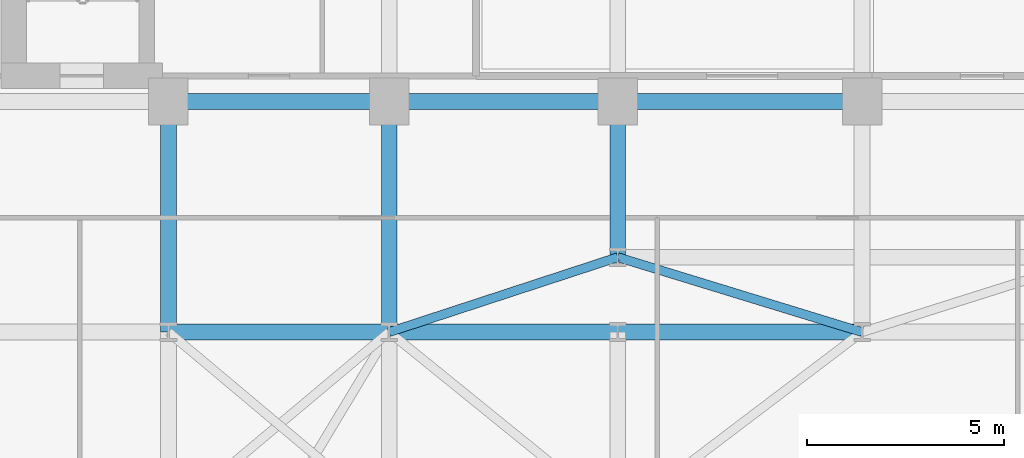
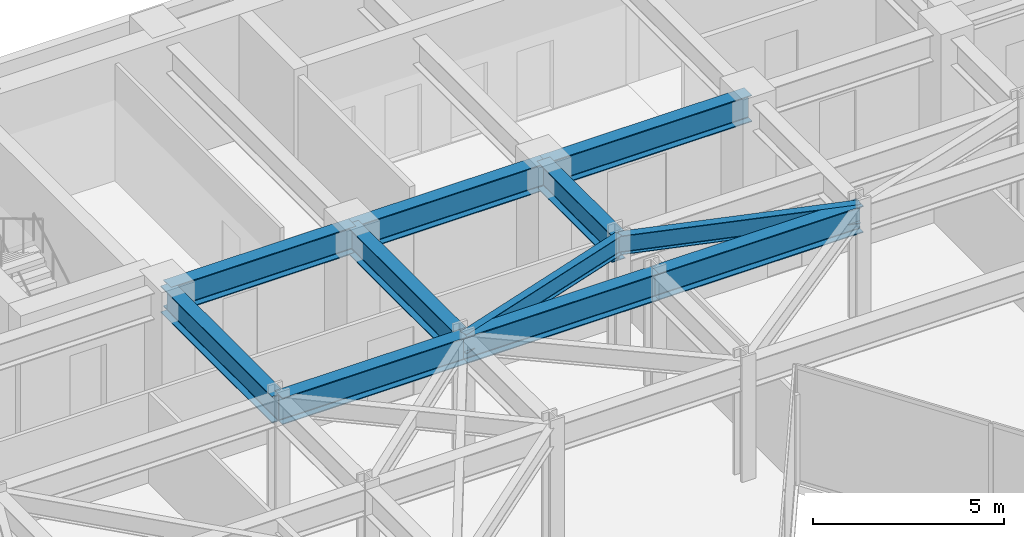
# One storey, part 14 of 26: 11 beams.
"""IFC4 building model written with IfcOpenShell, lengths in metres."""

from ifc_helpers import new_model, si_unit, direction, frame, origin, origin_2d, place, context, subcontext, project, spatial, i_section, extrude, material, material_profile, profile_set, type_object, element, save


model = new_model("IFC4")

# Units and contexts
model_context = context("Model", 3, precision=1e-05, world=origin(), true_north=direction((0.0, 1.0)))
body_context = subcontext(model_context, "Body", "Model", "MODEL_VIEW")
ifc_project = project(units=[si_unit("LENGTHUNIT", "METRE"), si_unit("AREAUNIT", "SQUARE_METRE"), si_unit("VOLUMEUNIT", "CUBIC_METRE"), si_unit("PLANEANGLEUNIT", "RADIAN"), si_unit("MASSUNIT", "GRAM", prefix="KILO")], contexts=[model_context])

# Site, building, storey
site_placement = place(None, origin())
site = spatial("IfcSite", under=ifc_project, at=site_placement, CompositionType="ELEMENT")
building_placement = place(site_placement, origin())
building = spatial("IfcBuilding", under=site, at=building_placement, Name="Kravanh Interchange Tower", CompositionType="ELEMENT")
storey_placement = place(building_placement, frame((0.0, 0.0, 108.0)))
storey = spatial("IfcBuildingStorey", under=building, at=storey_placement, Name="L25", CompositionType="ELEMENT", Elevation=108.0)

# Beams
ifc_material_1 = material(Name="Structural Steel S355", Category="steel")
ifc_material_profile_1 = material_profile(ifc_material_1, i_section(OverallWidth=0.39990234375, OverallDepth=0.85595703125, WebThickness=0.018310546875, FlangeThickness=0.029296875, FilletRadius=0.02490234375, at=origin_2d()), Name="W33X201")
ifc_profile_set_1 = profile_set([ifc_material_profile_1], Name="Structural Steel S355")
beam_type_1 = type_object("IfcBeamType", Name="Floor Beam W33X201 Structural Steel S355", PredefinedType="BEAM", material=ifc_profile_set_1)
beam_1_placement = place(storey_placement, frame((44.800048828125, 37.35009765625, 3.322021484375), z_axis=(-1.0, 0.0, 0.0), x_axis=(0.0, -1.0, 0.0)))
element("IfcBeam", 1, at=beam_1_placement, inside=storey, type_object=beam_type_1, Name="L25 Primary Floor Girder 13", PredefinedType="BEAM", context=body_context, shape_type="SweptSolid", body=[
    extrude(i_section(OverallWidth=0.39990234375, OverallDepth=0.85595703125, WebThickness=0.018310546875, FlangeThickness=0.029296875, FilletRadius=0.02490234375, at=origin_2d()), origin(), (0.0, 0.0, 1.0), 6.199951171875),
])
beam_2_placement = place(storey_placement, frame((38.60009765625, 37.35009765625, 3.322021484375), z_axis=(0.0, -1.0, 0.0), x_axis=(1.0, 0.0, 0.0)))
element("IfcBeam", 2, at=beam_2_placement, inside=storey, type_object=beam_type_1, Name="L25 Primary Floor Girder 16", PredefinedType="BEAM", context=body_context, shape_type="SweptSolid", body=[
    extrude(i_section(OverallWidth=0.39990234375, OverallDepth=0.85595703125, WebThickness=0.018310546875, FlangeThickness=0.029296875, FilletRadius=0.02490234375, at=origin_2d()), origin(), (0.0, 0.0, 1.0), 3.9501953125),
])
beam_3_placement = place(storey_placement, frame((38.60009765625, 37.35009765625, 3.322021484375), z_axis=(-1.0, 0.0, 0.0), x_axis=(0.0, -1.0, 0.0)))
element("IfcBeam", 3, at=beam_3_placement, inside=storey, type_object=beam_type_1, Name="L25 Primary Floor Girder 17", PredefinedType="BEAM", context=body_context, shape_type="SweptSolid", body=[
    extrude(i_section(OverallWidth=0.39990234375, OverallDepth=0.85595703125, WebThickness=0.018310546875, FlangeThickness=0.029296875, FilletRadius=0.02490234375, at=origin_2d()), origin(), (0.0, 0.0, 1.0), 5.800048828125),
])
beam_4_placement = place(storey_placement, frame((32.800048828125, 37.35009765625, 3.322021484375), z_axis=(-1.0, 0.0, 0.0), x_axis=(0.0, -1.0, 0.0)))
element("IfcBeam", 4, at=beam_4_placement, inside=storey, type_object=beam_type_1, Name="L25 Primary Floor Girder 20", PredefinedType="BEAM", context=body_context, shape_type="SweptSolid", body=[
    extrude(i_section(OverallWidth=0.39990234375, OverallDepth=0.85595703125, WebThickness=0.018310546875, FlangeThickness=0.029296875, FilletRadius=0.02490234375, at=origin_2d()), origin(), (0.0, 0.0, 1.0), 5.60009765625),
])
for number, where, z_axis, x_axis, name in (
    (5, (32.800048828125, 37.35009765625, 3.322021484375), (0.0, -1.0, 0.0), (1.0, 0.0, 0.0), "L25 Primary Floor Girder 21"),
    (6, (27.199951171875, 37.35009765625, 3.322021484375), (0.0, -1.0, 0.0), (1.0, 0.0, 0.0), "L25 Primary Floor Girder 24"),
):
    element("IfcBeam", number, at=place(storey_placement, frame(where, z_axis=z_axis, x_axis=x_axis)), inside=storey, type_object=beam_type_1, Name=name, PredefinedType="BEAM", context=body_context, shape_type="SweptSolid", body=[
        extrude(i_section(OverallWidth=0.39990234375, OverallDepth=0.85595703125, WebThickness=0.018310546875, FlangeThickness=0.029296875, FilletRadius=0.02490234375, at=origin_2d()), origin(), (0.0, 0.0, 1.0), 5.85009765625),
    ])
beam_5_placement = place(storey_placement, frame((27.199951171875, 31.5, 3.322021484375), z_axis=(1.0, 0.0, 0.0), x_axis=(0.0, 1.0, 0.0)))
element("IfcBeam", 7, at=beam_5_placement, inside=storey, type_object=beam_type_1, Name="L25 Primary Floor Girder 74", PredefinedType="BEAM", context=body_context, shape_type="SweptSolid", body=[
    extrude(i_section(OverallWidth=0.39990234375, OverallDepth=0.85595703125, WebThickness=0.018310546875, FlangeThickness=0.029296875, FilletRadius=0.02490234375, at=origin_2d()), origin(), (0.0, 0.0, 1.0), 5.60009765625),
])
beam_6_placement = place(storey_placement, frame((32.800048828125, 31.5, 3.322021484375), z_axis=(1.0, 0.0, 0.0), x_axis=(0.0, 1.0, 0.0)))
element("IfcBeam", 8, at=beam_6_placement, inside=storey, type_object=beam_type_1, Name="L25 Primary Floor Girder 78", PredefinedType="BEAM", context=body_context, shape_type="SweptSolid", body=[
    extrude(i_section(OverallWidth=0.39990234375, OverallDepth=0.85595703125, WebThickness=0.018310546875, FlangeThickness=0.029296875, FilletRadius=0.02490234375, at=origin_2d()), origin(), (0.0, 0.0, 1.0), 5.800048828125),
])
beam_7_placement = place(storey_placement, frame((38.60009765625, 31.5, 3.322021484375), z_axis=(1.0, 0.0, 0.0), x_axis=(0.0, 1.0, 0.0)))
element("IfcBeam", 9, at=beam_7_placement, inside=storey, type_object=beam_type_1, Name="L25 Primary Floor Girder 81", PredefinedType="BEAM", context=body_context, shape_type="SweptSolid", body=[
    extrude(i_section(OverallWidth=0.39990234375, OverallDepth=0.85595703125, WebThickness=0.018310546875, FlangeThickness=0.029296875, FilletRadius=0.02490234375, at=origin_2d()), origin(), (0.0, 0.0, 1.0), 6.199951171875),
])
ifc_material_2 = material(Name="Structural Steel S355", Category="steel")
ifc_material_profile_2 = material_profile(ifc_material_2, i_section(OverallWidth=0.22802734375, OverallDepth=0.60791015625, WebThickness=0.01123046875, FlangeThickness=0.017333984375, FilletRadius=0.02197265625, at=origin_2d()), Name="W24X76")
ifc_profile_set_2 = profile_set([ifc_material_profile_2], Name="Structural Steel S355")
beam_type_2 = type_object("IfcBeamType", Name="Floor Spandrel W24X76 Structural Steel S355", PredefinedType="SPANDREL", material=ifc_profile_set_2)
beam_8_placement = place(storey_placement, frame((32.800048828125, 31.5, 3.446044921875), z_axis=(0.950314536578, 0.31129131303, 0.0), x_axis=(-0.31129131303, 0.950314536578, 0.0)))
element("IfcBeam", 10, at=beam_8_placement, inside=storey, type_object=beam_type_2, Name="L25 Perimeter Spandrel 79", PredefinedType="SPANDREL", context=body_context, shape_type="SweptSolid", body=[
    extrude(i_section(OverallWidth=0.22802734375, OverallDepth=0.60791015625, WebThickness=0.01123046875, FlangeThickness=0.017333984375, FilletRadius=0.02197265625, at=origin_2d()), origin(), (0.0, 0.0, 1.0), 6.103271484375),
])
beam_9_placement = place(storey_placement, frame((44.800048828125, 31.5, 3.446044921875), z_axis=(-0.956115397264, 0.292990353279, 0.0), x_axis=(-0.292990353279, -0.956115397264, 0.0)))
element("IfcBeam", 11, at=beam_9_placement, inside=storey, type_object=beam_type_2, Name="L25 Perimeter Spandrel 85", PredefinedType="SPANDREL", context=body_context, shape_type="SweptSolid", body=[
    extrude(i_section(OverallWidth=0.22802734375, OverallDepth=0.60791015625, WebThickness=0.01123046875, FlangeThickness=0.017333984375, FilletRadius=0.02197265625, at=origin_2d()), origin(), (0.0, 0.0, 1.0), 6.484619140625),
])

save(model, "model.ifc")
